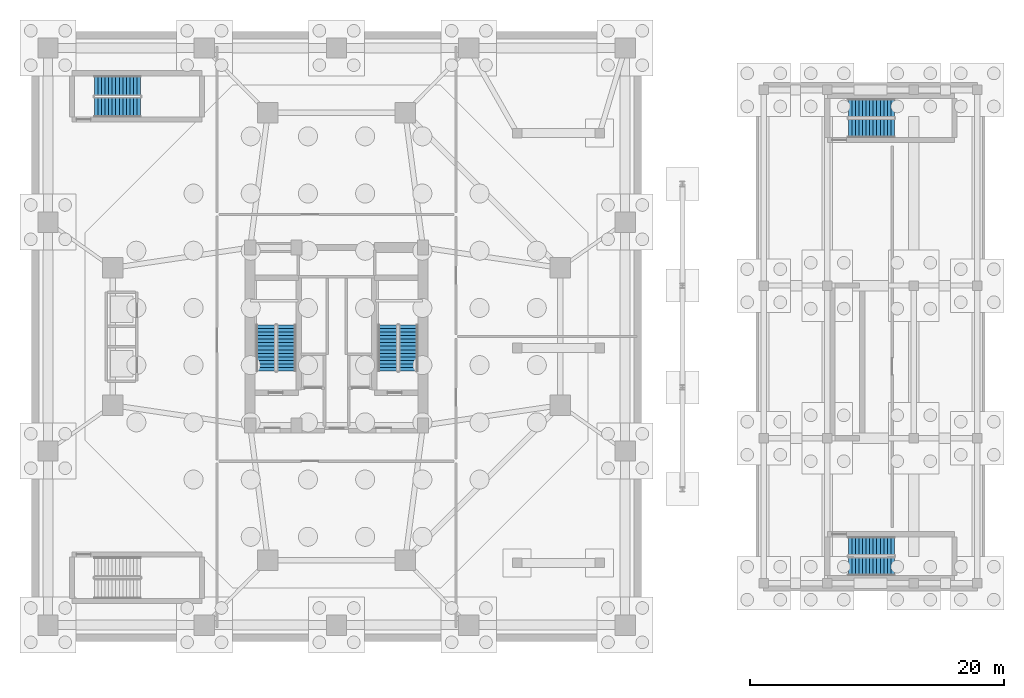
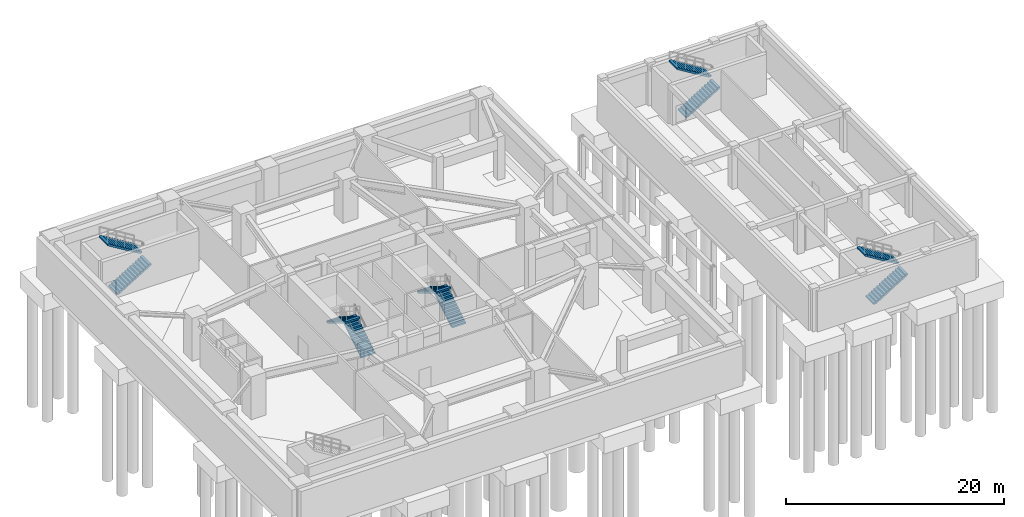
# One storey, part 8 of 11: 10 stair flights, 5 elements without a shape of their own.
"""IFC4 building model written with IfcOpenShell, lengths in metres."""

from ifc_helpers import new_model, si_unit, direction, frame, origin, place, context, subcontext, project, spatial, polyline, outline, extrude, material, type_object, element, aggregate, save


model = new_model("IFC4")

# Units and contexts
model_context = context("Model", 3, precision=1e-05, world=origin(), true_north=direction((0.0, 1.0)))
body_context = subcontext(model_context, "Body", "Model", "MODEL_VIEW")
ifc_project = project(units=[si_unit("LENGTHUNIT", "METRE"), si_unit("AREAUNIT", "SQUARE_METRE"), si_unit("VOLUMEUNIT", "CUBIC_METRE"), si_unit("PLANEANGLEUNIT", "RADIAN"), si_unit("MASSUNIT", "GRAM", prefix="KILO")], contexts=[model_context])

# Site, building, storey
site_placement = place(None, origin())
site = spatial("IfcSite", under=ifc_project, at=site_placement, CompositionType="ELEMENT")
building_placement = place(site_placement, origin())
building = spatial("IfcBuilding", under=site, at=building_placement, Name="Veraguas Prism Commons", CompositionType="ELEMENT")
storey_placement = place(building_placement, frame((0.0, 0.0, -10.0)))
storey = spatial("IfcBuildingStorey", under=building, at=storey_placement, Name="B2", CompositionType="ELEMENT", Elevation=-10.0)

# Stair, stair flights
ifc_material = material(Name="Precast concrete C45/55", Category="concrete")
stair_type_1 = type_object("IfcStairType", Name="Dogleg Core Stair 1450W 28R 12", PredefinedType="HALF_TURN_STAIR", material=ifc_material)
stair_1_placement = place(storey_placement, origin())
stair_1 = element("IfcStair", 1, at=stair_1_placement, inside=storey, type_object=stair_type_1, Name="Protected Exit Stair ST-H1 B2", PredefinedType="HALF_TURN_STAIR")
stair_flight_type_1 = type_object("IfcStairFlightType", Name="Precast Stair Flight 1450W 14R 12", PredefinedType="STRAIGHT", material=ifc_material)
stair_flight_1_placement = place(storey_placement, frame((64.25, 5.925048828125, 0.0), z_axis=(0.0, 0.0, 1.0), x_axis=(1.0, 0.0, 0.0)))
stair_flight_1 = element("IfcStairFlight", 2, at=stair_flight_1_placement, type_object=stair_flight_type_1, Name="ST-12 Flight 1", NumberOfRisers=14, NumberOfTreads=13, PredefinedType="STRAIGHT", RiserHeight=0.171428571, TreadLength=0.28, context=body_context, shape_type="SweptSolid", body=[
    extrude(outline(polyline([(0.0, 0.0), (0.0, 0.17138671875), (0.280029296875, 0.17138671875), (0.280029296875, 0.3427734375), (0.56005859375, 0.3427734375), (0.56005859375, 0.514404296875), (0.840087890625, 0.514404296875), (0.840087890625, 0.685791015625), (1.1201171875, 0.685791015625), (1.1201171875, 0.857177734375), (1.39990234375, 0.857177734375), (1.39990234375, 1.028564453125), (1.679931640625, 1.028564453125), (1.679931640625, 1.199951171875), (1.9599609375, 1.199951171875), (1.9599609375, 1.371337890625), (2.239990234375, 1.371337890625), (2.239990234375, 1.54296875), (2.52001953125, 1.54296875), (2.52001953125, 1.71435546875), (2.800048828125, 1.71435546875), (2.800048828125, 1.8857421875), (3.080078125, 1.8857421875), (3.080078125, 2.05712890625), (3.360107421875, 2.05712890625), (3.360107421875, 2.228515625), (3.639892578125, 2.228515625), (3.639892578125, 2.39990234375), (3.639892578125, 2.052734375), (0.287109375, 0.0), (0.0, 0.0)])), frame((0.0, 0.72509765625, 0.0), z_axis=(0.0, -1.0, 0.0), x_axis=(1.0, 0.0, 0.0)), (0.0, 0.0, 1.0), 1.449951171875),
])
stair_flight_2_placement = place(storey_placement, frame((67.889892578125, 7.52490234375, 2.39990234375), z_axis=(0.0, 0.0, 1.0), x_axis=(-1.0, 0.0, 0.0)))
stair_flight_2 = element("IfcStairFlight", 3, at=stair_flight_2_placement, type_object=stair_flight_type_1, Name="ST-12 Flight 2", NumberOfRisers=14, NumberOfTreads=13, PredefinedType="STRAIGHT", RiserHeight=0.171428571, TreadLength=0.28, context=body_context, shape_type="SweptSolid", body=[
    extrude(outline(polyline([(0.0, 0.0), (0.0, 0.17138671875), (0.280029296875, 0.17138671875), (0.280029296875, 0.3427734375), (0.56005859375, 0.3427734375), (0.56005859375, 0.514404296875), (0.840087890625, 0.514404296875), (0.840087890625, 0.685791015625), (1.1201171875, 0.685791015625), (1.1201171875, 0.857177734375), (1.39990234375, 0.857177734375), (1.39990234375, 1.028564453125), (1.679931640625, 1.028564453125), (1.679931640625, 1.199951171875), (1.9599609375, 1.199951171875), (1.9599609375, 1.371337890625), (2.239990234375, 1.371337890625), (2.239990234375, 1.54296875), (2.52001953125, 1.54296875), (2.52001953125, 1.71435546875), (2.800048828125, 1.71435546875), (2.800048828125, 1.8857421875), (3.080078125, 1.8857421875), (3.080078125, 2.05712890625), (3.360107421875, 2.05712890625), (3.360107421875, 2.228515625), (3.639892578125, 2.228515625), (3.639892578125, 2.39990234375), (3.639892578125, 2.052734375), (0.287109375, 0.0), (0.0, 0.0)])), frame((0.0, 0.72509765625, 0.0), z_axis=(0.0, -1.0, 0.0), x_axis=(1.0, 0.0, 0.0)), (0.0, 0.0, 1.0), 1.449951171875),
])
aggregate(stair_1, [stair_flight_1, stair_flight_2])

stair_2_placement = place(storey_placement, origin())
stair_2 = element("IfcStair", 4, at=stair_2_placement, inside=storey, type_object=stair_type_1, Name="Protected Exit Stair ST-H2 B2", PredefinedType="HALF_TURN_STAIR")
stair_flight_3_placement = place(storey_placement, frame((64.25, 40.385009765625, 0.0), z_axis=(0.0, 0.0, 1.0), x_axis=(1.0, 0.0, 0.0)))
stair_flight_3 = element("IfcStairFlight", 5, at=stair_flight_3_placement, type_object=stair_flight_type_1, Name="ST-12 Flight 1", NumberOfRisers=14, NumberOfTreads=13, PredefinedType="STRAIGHT", RiserHeight=0.171428571, TreadLength=0.28, context=body_context, shape_type="SweptSolid", body=[
    extrude(outline(polyline([(0.0, 0.0), (0.0, 0.17138671875), (0.280029296875, 0.17138671875), (0.280029296875, 0.3427734375), (0.56005859375, 0.3427734375), (0.56005859375, 0.514404296875), (0.840087890625, 0.514404296875), (0.840087890625, 0.685791015625), (1.1201171875, 0.685791015625), (1.1201171875, 0.857177734375), (1.39990234375, 0.857177734375), (1.39990234375, 1.028564453125), (1.679931640625, 1.028564453125), (1.679931640625, 1.199951171875), (1.9599609375, 1.199951171875), (1.9599609375, 1.371337890625), (2.239990234375, 1.371337890625), (2.239990234375, 1.54296875), (2.52001953125, 1.54296875), (2.52001953125, 1.71435546875), (2.800048828125, 1.71435546875), (2.800048828125, 1.8857421875), (3.080078125, 1.8857421875), (3.080078125, 2.05712890625), (3.360107421875, 2.05712890625), (3.360107421875, 2.228515625), (3.639892578125, 2.228515625), (3.639892578125, 2.39990234375), (3.639892578125, 2.052734375), (0.287109375, 0.0), (0.0, 0.0)])), frame((0.0, 0.72509765625, 0.0), z_axis=(0.0, -1.0, 0.0), x_axis=(1.0, 0.0, 0.0)), (0.0, 0.0, 1.0), 1.449951171875),
])
stair_flight_4_placement = place(storey_placement, frame((67.889892578125, 41.985107421875, 2.39990234375), z_axis=(0.0, 0.0, 1.0), x_axis=(-1.0, 0.0, 0.0)))
stair_flight_4 = element("IfcStairFlight", 6, at=stair_flight_4_placement, type_object=stair_flight_type_1, Name="ST-12 Flight 2", NumberOfRisers=14, NumberOfTreads=13, PredefinedType="STRAIGHT", RiserHeight=0.171428571, TreadLength=0.28, context=body_context, shape_type="SweptSolid", body=[
    extrude(outline(polyline([(0.0, 0.0), (0.0, 0.17138671875), (0.280029296875, 0.17138671875), (0.280029296875, 0.3427734375), (0.56005859375, 0.3427734375), (0.56005859375, 0.514404296875), (0.840087890625, 0.514404296875), (0.840087890625, 0.685791015625), (1.1201171875, 0.685791015625), (1.1201171875, 0.857177734375), (1.39990234375, 0.857177734375), (1.39990234375, 1.028564453125), (1.679931640625, 1.028564453125), (1.679931640625, 1.199951171875), (1.9599609375, 1.199951171875), (1.9599609375, 1.371337890625), (2.239990234375, 1.371337890625), (2.239990234375, 1.54296875), (2.52001953125, 1.54296875), (2.52001953125, 1.71435546875), (2.800048828125, 1.71435546875), (2.800048828125, 1.8857421875), (3.080078125, 1.8857421875), (3.080078125, 2.05712890625), (3.360107421875, 2.05712890625), (3.360107421875, 2.228515625), (3.639892578125, 2.228515625), (3.639892578125, 2.39990234375), (3.639892578125, 2.052734375), (0.287109375, 0.0), (0.0, 0.0)])), frame((0.0, 0.72509765625, 0.0), z_axis=(0.0, -1.0, 0.0), x_axis=(1.0, 0.0, 0.0)), (0.0, 0.0, 1.0), 1.449951171875),
])
aggregate(stair_2, [stair_flight_3, stair_flight_4])

stair_type_2 = type_object("IfcStairType", Name="Dogleg Core Stair 1480W 28R 01", PredefinedType="HALF_TURN_STAIR", material=ifc_material)
stair_3_placement = place(storey_placement, origin())
stair_3 = element("IfcStair", 7, at=stair_3_placement, inside=storey, type_object=stair_type_2, Name="Protected Exit Stair ST-01 B2", PredefinedType="HALF_TURN_STAIR")
stair_flight_type_2 = type_object("IfcStairFlightType", Name="Precast Stair Flight 1480W 14R 01", PredefinedType="STRAIGHT", material=ifc_material)
stair_flight_5_placement = place(storey_placement, frame((20.06005859375, 21.280029296875, 0.0), z_axis=(0.0, 0.0, 1.0), x_axis=(0.0, 1.0, 0.0)))
stair_flight_5 = element("IfcStairFlight", 8, at=stair_flight_5_placement, type_object=stair_flight_type_2, Name="ST-01 Flight 1", NumberOfRisers=14, NumberOfTreads=13, PredefinedType="STRAIGHT", RiserHeight=0.171428571, TreadLength=0.28, context=body_context, shape_type="SweptSolid", body=[
    extrude(outline(polyline([(0.0, 0.0), (0.0, 0.17138671875), (0.280029296875, 0.17138671875), (0.280029296875, 0.3427734375), (0.56005859375, 0.3427734375), (0.56005859375, 0.514404296875), (0.840087890625, 0.514404296875), (0.840087890625, 0.685791015625), (1.1201171875, 0.685791015625), (1.1201171875, 0.857177734375), (1.39990234375, 0.857177734375), (1.39990234375, 1.028564453125), (1.679931640625, 1.028564453125), (1.679931640625, 1.199951171875), (1.9599609375, 1.199951171875), (1.9599609375, 1.371337890625), (2.239990234375, 1.371337890625), (2.239990234375, 1.54296875), (2.52001953125, 1.54296875), (2.52001953125, 1.71435546875), (2.800048828125, 1.71435546875), (2.800048828125, 1.8857421875), (3.080078125, 1.8857421875), (3.080078125, 2.05712890625), (3.360107421875, 2.05712890625), (3.360107421875, 2.228515625), (3.639892578125, 2.228515625), (3.639892578125, 2.39990234375), (3.639892578125, 2.052734375), (0.287109375, 0.0), (0.0, 0.0)])), frame((0.0, 0.739990234375, 0.0), z_axis=(0.0, -1.0, 0.0), x_axis=(1.0, 0.0, 0.0)), (0.0, 0.0, 1.0), 1.47998046875),
])
stair_flight_6_placement = place(storey_placement, frame((18.429931640625, 24.919921875, 2.39990234375), z_axis=(0.0, 0.0, 1.0), x_axis=(0.0, -1.0, 0.0)))
stair_flight_6 = element("IfcStairFlight", 9, at=stair_flight_6_placement, type_object=stair_flight_type_2, Name="ST-01 Flight 2", NumberOfRisers=14, NumberOfTreads=13, PredefinedType="STRAIGHT", RiserHeight=0.171428571, TreadLength=0.28, context=body_context, shape_type="SweptSolid", body=[
    extrude(outline(polyline([(0.0, 0.0), (0.0, 0.17138671875), (0.280029296875, 0.17138671875), (0.280029296875, 0.3427734375), (0.56005859375, 0.3427734375), (0.56005859375, 0.514404296875), (0.840087890625, 0.514404296875), (0.840087890625, 0.685791015625), (1.1201171875, 0.685791015625), (1.1201171875, 0.857177734375), (1.39990234375, 0.857177734375), (1.39990234375, 1.028564453125), (1.679931640625, 1.028564453125), (1.679931640625, 1.199951171875), (1.9599609375, 1.199951171875), (1.9599609375, 1.371337890625), (2.239990234375, 1.371337890625), (2.239990234375, 1.54296875), (2.52001953125, 1.54296875), (2.52001953125, 1.71435546875), (2.800048828125, 1.71435546875), (2.800048828125, 1.8857421875), (3.080078125, 1.8857421875), (3.080078125, 2.05712890625), (3.360107421875, 2.05712890625), (3.360107421875, 2.228515625), (3.639892578125, 2.228515625), (3.639892578125, 2.39990234375), (3.639892578125, 2.052734375), (0.287109375, 0.0), (0.0, 0.0)])), frame((0.0, 0.739990234375, 0.0), z_axis=(0.0, -1.0, 0.0), x_axis=(1.0, 0.0, 0.0)), (0.0, 0.0, 1.0), 1.47998046875),
])
aggregate(stair_3, [stair_flight_5, stair_flight_6])

stair_4_placement = place(storey_placement, origin())
stair_4 = element("IfcStair", 10, at=stair_4_placement, inside=storey, type_object=stair_type_2, Name="Protected Exit Stair ST-02 B2", PredefinedType="HALF_TURN_STAIR")
stair_flight_7_placement = place(storey_placement, frame((29.659912109375, 21.280029296875, 0.0), z_axis=(0.0, 0.0, 1.0), x_axis=(0.0, 1.0, 0.0)))
stair_flight_7 = element("IfcStairFlight", 11, at=stair_flight_7_placement, type_object=stair_flight_type_2, Name="ST-01 Flight 1", NumberOfRisers=14, NumberOfTreads=13, PredefinedType="STRAIGHT", RiserHeight=0.171428571, TreadLength=0.28, context=body_context, shape_type="SweptSolid", body=[
    extrude(outline(polyline([(0.0, 0.0), (0.0, 0.17138671875), (0.280029296875, 0.17138671875), (0.280029296875, 0.3427734375), (0.56005859375, 0.3427734375), (0.56005859375, 0.514404296875), (0.840087890625, 0.514404296875), (0.840087890625, 0.685791015625), (1.1201171875, 0.685791015625), (1.1201171875, 0.857177734375), (1.39990234375, 0.857177734375), (1.39990234375, 1.028564453125), (1.679931640625, 1.028564453125), (1.679931640625, 1.199951171875), (1.9599609375, 1.199951171875), (1.9599609375, 1.371337890625), (2.239990234375, 1.371337890625), (2.239990234375, 1.54296875), (2.52001953125, 1.54296875), (2.52001953125, 1.71435546875), (2.800048828125, 1.71435546875), (2.800048828125, 1.8857421875), (3.080078125, 1.8857421875), (3.080078125, 2.05712890625), (3.360107421875, 2.05712890625), (3.360107421875, 2.228515625), (3.639892578125, 2.228515625), (3.639892578125, 2.39990234375), (3.639892578125, 2.052734375), (0.287109375, 0.0), (0.0, 0.0)])), frame((0.0, 0.739990234375, 0.0), z_axis=(0.0, -1.0, 0.0), x_axis=(1.0, 0.0, 0.0)), (0.0, 0.0, 1.0), 1.47998046875),
])
stair_flight_8_placement = place(storey_placement, frame((28.030029296875, 24.919921875, 2.39990234375), z_axis=(0.0, 0.0, 1.0), x_axis=(0.0, -1.0, 0.0)))
stair_flight_8 = element("IfcStairFlight", 12, at=stair_flight_8_placement, type_object=stair_flight_type_2, Name="ST-01 Flight 2", NumberOfRisers=14, NumberOfTreads=13, PredefinedType="STRAIGHT", RiserHeight=0.171428571, TreadLength=0.28, context=body_context, shape_type="SweptSolid", body=[
    extrude(outline(polyline([(0.0, 0.0), (0.0, 0.17138671875), (0.280029296875, 0.17138671875), (0.280029296875, 0.3427734375), (0.56005859375, 0.3427734375), (0.56005859375, 0.514404296875), (0.840087890625, 0.514404296875), (0.840087890625, 0.685791015625), (1.1201171875, 0.685791015625), (1.1201171875, 0.857177734375), (1.39990234375, 0.857177734375), (1.39990234375, 1.028564453125), (1.679931640625, 1.028564453125), (1.679931640625, 1.199951171875), (1.9599609375, 1.199951171875), (1.9599609375, 1.371337890625), (2.239990234375, 1.371337890625), (2.239990234375, 1.54296875), (2.52001953125, 1.54296875), (2.52001953125, 1.71435546875), (2.800048828125, 1.71435546875), (2.800048828125, 1.8857421875), (3.080078125, 1.8857421875), (3.080078125, 2.05712890625), (3.360107421875, 2.05712890625), (3.360107421875, 2.228515625), (3.639892578125, 2.228515625), (3.639892578125, 2.39990234375), (3.639892578125, 2.052734375), (0.287109375, 0.0), (0.0, 0.0)])), frame((0.0, 0.739990234375, 0.0), z_axis=(0.0, -1.0, 0.0), x_axis=(1.0, 0.0, 0.0)), (0.0, 0.0, 1.0), 1.47998046875),
])
aggregate(stair_4, [stair_flight_7, stair_flight_8])

stair_type_3 = type_object("IfcStairType", Name="Dogleg Core Stair 1550W 28R 09", PredefinedType="HALF_TURN_STAIR", material=ifc_material)
stair_5_placement = place(storey_placement, origin())
stair_5 = element("IfcStair", 13, at=stair_5_placement, inside=storey, type_object=stair_type_3, Name="Protected Exit Stair ST-M2 B2", PredefinedType="HALF_TURN_STAIR")
stair_flight_type_3 = type_object("IfcStairFlightType", Name="Precast Stair Flight 1550W 14R 09", PredefinedType="STRAIGHT", material=ifc_material)
stair_flight_9_placement = place(storey_placement, frame((4.949951171875, 42.034912109375, 0.0), z_axis=(0.0, 0.0, 1.0), x_axis=(1.0, 0.0, 0.0)))
stair_flight_9 = element("IfcStairFlight", 14, at=stair_flight_9_placement, type_object=stair_flight_type_3, Name="ST-09 Flight 1", NumberOfRisers=14, NumberOfTreads=13, PredefinedType="STRAIGHT", RiserHeight=0.171428571, TreadLength=0.28, context=body_context, shape_type="SweptSolid", body=[
    extrude(outline(polyline([(0.0, 0.0), (0.0, 0.17138671875), (0.280029296875, 0.17138671875), (0.280029296875, 0.3427734375), (0.56005859375, 0.3427734375), (0.56005859375, 0.514404296875), (0.840087890625, 0.514404296875), (0.840087890625, 0.685791015625), (1.1201171875, 0.685791015625), (1.1201171875, 0.857177734375), (1.39990234375, 0.857177734375), (1.39990234375, 1.028564453125), (1.679931640625, 1.028564453125), (1.679931640625, 1.199951171875), (1.9599609375, 1.199951171875), (1.9599609375, 1.371337890625), (2.239990234375, 1.371337890625), (2.239990234375, 1.54296875), (2.52001953125, 1.54296875), (2.52001953125, 1.71435546875), (2.800048828125, 1.71435546875), (2.800048828125, 1.8857421875), (3.080078125, 1.8857421875), (3.080078125, 2.05712890625), (3.360107421875, 2.05712890625), (3.360107421875, 2.228515625), (3.639892578125, 2.228515625), (3.639892578125, 2.39990234375), (3.639892578125, 2.052734375), (0.287109375, 0.0), (0.0, 0.0)])), frame((0.0, 0.77490234375, 0.0), z_axis=(0.0, -1.0, 0.0), x_axis=(1.0, 0.0, 0.0)), (0.0, 0.0, 1.0), 1.550048828125),
])
stair_flight_10_placement = place(storey_placement, frame((8.590087890625, 43.735107421875, 2.39990234375), z_axis=(0.0, 0.0, 1.0), x_axis=(-1.0, 0.0, 0.0)))
stair_flight_10 = element("IfcStairFlight", 15, at=stair_flight_10_placement, type_object=stair_flight_type_3, Name="ST-09 Flight 2", NumberOfRisers=14, NumberOfTreads=13, PredefinedType="STRAIGHT", RiserHeight=0.171428571, TreadLength=0.28, context=body_context, shape_type="SweptSolid", body=[
    extrude(outline(polyline([(0.0, 0.0), (0.0, 0.17138671875), (0.280029296875, 0.17138671875), (0.280029296875, 0.3427734375), (0.56005859375, 0.3427734375), (0.56005859375, 0.514404296875), (0.840087890625, 0.514404296875), (0.840087890625, 0.685791015625), (1.1201171875, 0.685791015625), (1.1201171875, 0.857177734375), (1.39990234375, 0.857177734375), (1.39990234375, 1.028564453125), (1.679931640625, 1.028564453125), (1.679931640625, 1.199951171875), (1.9599609375, 1.199951171875), (1.9599609375, 1.371337890625), (2.239990234375, 1.371337890625), (2.239990234375, 1.54296875), (2.52001953125, 1.54296875), (2.52001953125, 1.71435546875), (2.800048828125, 1.71435546875), (2.800048828125, 1.8857421875), (3.080078125, 1.8857421875), (3.080078125, 2.05712890625), (3.360107421875, 2.05712890625), (3.360107421875, 2.228515625), (3.639892578125, 2.228515625), (3.639892578125, 2.39990234375), (3.639892578125, 2.052734375), (0.287109375, 0.0), (0.0, 0.0)])), frame((0.0, 0.77490234375, 0.0), z_axis=(0.0, -1.0, 0.0), x_axis=(1.0, 0.0, 0.0)), (0.0, 0.0, 1.0), 1.550048828125),
])
aggregate(stair_5, [stair_flight_9, stair_flight_10])

save(model, "model.ifc")
